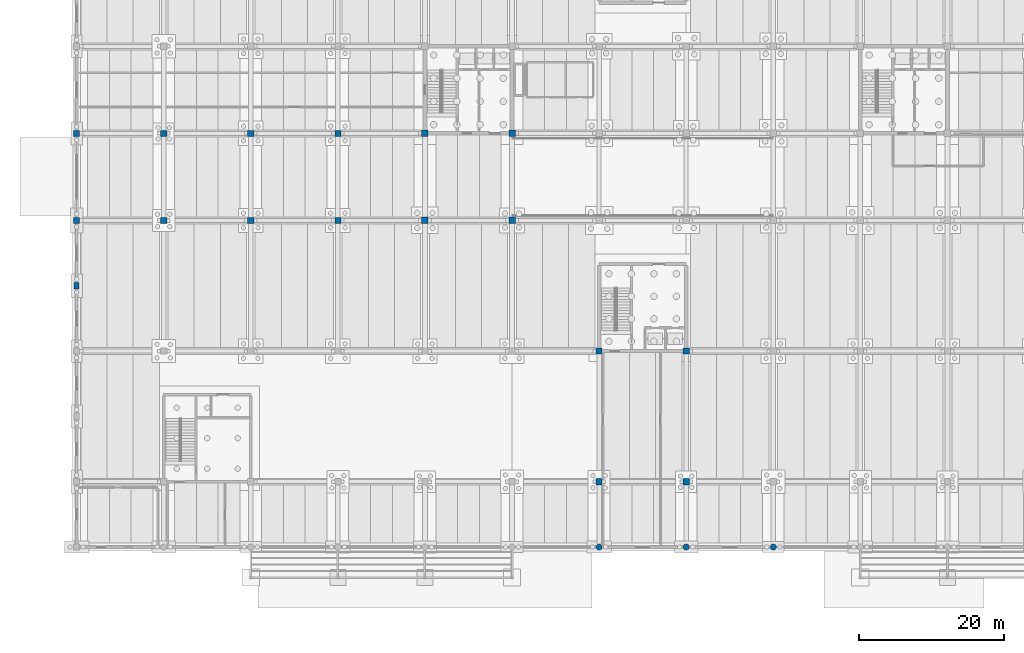
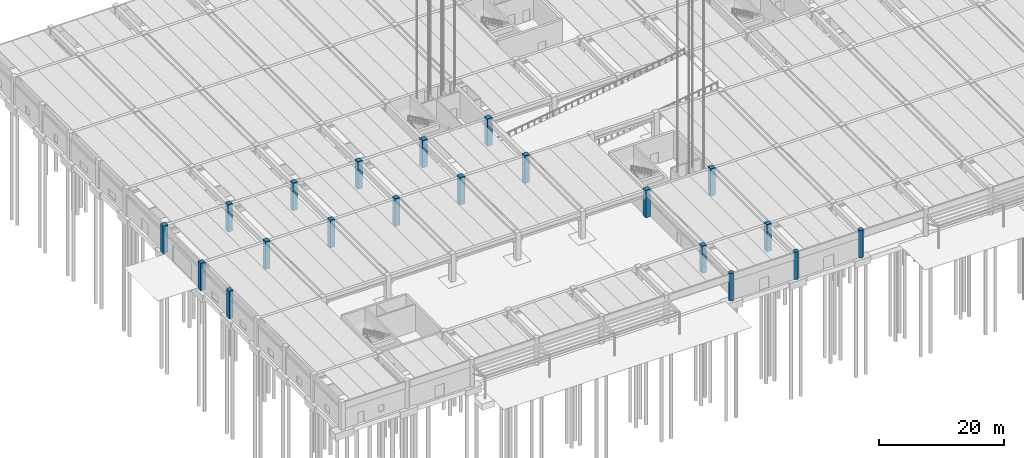
# One storey, part 8 of 59: 20 columns.
"""IFC4 building model written with IfcOpenShell, lengths in metres."""

from ifc_helpers import new_model, si_unit, direction, frame, origin, origin_2d, place, context, subcontext, project, spatial, rectangle, circle, extrude, material, material_profile, profile_set, type_object, element, save


model = new_model("IFC4")

# Units and contexts
model_context = context("Model", 3, precision=1e-05, world=origin(), true_north=direction((0.0, 1.0)))
body_context = subcontext(model_context, "Body", "Model", "MODEL_VIEW")
ifc_project = project(units=[si_unit("LENGTHUNIT", "METRE"), si_unit("AREAUNIT", "SQUARE_METRE"), si_unit("VOLUMEUNIT", "CUBIC_METRE"), si_unit("PLANEANGLEUNIT", "RADIAN"), si_unit("MASSUNIT", "GRAM", prefix="KILO")], contexts=[model_context])

# Site, building, storey
site_placement = place(None, origin())
site = spatial("IfcSite", under=ifc_project, at=site_placement, CompositionType="ELEMENT")
building_placement = place(site_placement, origin())
building = spatial("IfcBuilding", under=site, at=building_placement, Name="Girod Span Mobility Hub", CompositionType="ELEMENT")
storey_placement = place(building_placement, origin())
storey = spatial("IfcBuildingStorey", under=building, at=storey_placement, Name="L00", CompositionType="ELEMENT", Elevation=0.0)

# Columns
ifc_material_1 = material(Name="Concrete C40/50", Category="concrete")
ifc_material_profile_1 = material_profile(ifc_material_1, rectangle(XDim=0.85009765625, YDim=0.85009765625, at=origin_2d()), Name="PC-COL-850X850")
ifc_profile_set_1 = profile_set([ifc_material_profile_1], Name="Concrete C40/50")
column_type_1 = type_object("IfcColumnType", Name="COL-PC-850X850", PredefinedType="COLUMN", material=ifc_profile_set_1)
for number, where, z_axis, x_axis, name in (
    (1, (0.0, 45.0, 0.0), (0.0, 0.0, 1.0), (1.0, 0.0, 0.0), "Column 1D L00"),
    (2, (0.0, 57.0, 0.0), (0.0, 0.0, 1.0), (1.0, 0.0, 0.0), "Column 1E L00"),
    (3, (12.0, 45.0, 0.0), (0.0, 0.0, 1.0), (1.0, 0.0, 0.0), "Column 2D L00"),
    (4, (12.0, 57.0, 0.0), (0.0, 0.0, 1.0), (1.0, 0.0, 0.0), "Column 2E L00"),
    (5, (24.0, 45.0, 0.0), (0.0, 0.0, 1.0), (1.0, 0.0, 0.0), "Column 3D L00"),
    (6, (24.0, 57.0, 0.0), (0.0, 0.0, 1.0), (1.0, 0.0, 0.0), "Column 3E L00"),
    (7, (36.0, 45.0, 0.0), (0.0, 0.0, 1.0), (1.0, 0.0, 0.0), "Column 4D L00"),
    (8, (36.0, 57.0, 0.0), (0.0, 0.0, 1.0), (1.0, 0.0, 0.0), "Column 4E L00"),
    (9, (72.0, 9.0, 0.0), (0.0, 0.0, 1.0), (1.0, 0.0, 0.0), "Column 7B L00"),
    (10, (72.0, 27.0, 0.0), (0.0, 0.0, 1.0), (1.0, 0.0, 0.0), "Column 7C L00"),
    (11, (84.0, 9.0, 0.0), (0.0, 0.0, 1.0), (1.0, 0.0, 0.0), "Column 8B L00"),
    (12, (84.0, 27.0, 0.0), (0.0, 0.0, 1.0), (1.0, 0.0, 0.0), "Column 8C L00"),
):
    element("IfcColumn", number, at=place(storey_placement, frame(where, z_axis=z_axis, x_axis=x_axis)), inside=storey, type_object=column_type_1, Name=name, PredefinedType="COLUMN", context=body_context, shape_type="SweptSolid", body=[
        extrude(rectangle(XDim=0.85009765625, YDim=0.85009765625, at=origin_2d()), origin(), (0.0, 0.0, 1.0), 5.39990234375),
    ])
ifc_material_2 = material(Name="Concrete C40/50", Category="concrete")
ifc_material_profile_2 = material_profile(ifc_material_2, rectangle(XDim=0.89990234375, YDim=0.89990234375, at=origin_2d()), Name="PC-COL-900X900")
ifc_profile_set_2 = profile_set([ifc_material_profile_2], Name="Concrete C40/50")
column_type_2 = type_object("IfcColumnType", Name="COL-PC-900X900", PredefinedType="COLUMN", material=ifc_profile_set_2)
for number, where, z_axis, x_axis, name in (
    (13, (48.0, 45.0, 0.0), (0.0, 0.0, 1.0), (1.0, 0.0, 0.0), "Column 5D L00"),
    (14, (48.0, 57.0, 0.0), (0.0, 0.0, 1.0), (1.0, 0.0, 0.0), "Column 5E L00"),
    (15, (60.0, 45.0, 0.0), (0.0, 0.0, 1.0), (1.0, 0.0, 0.0), "Column 6D L00"),
    (16, (60.0, 57.0, 0.0), (0.0, 0.0, 1.0), (1.0, 0.0, 0.0), "Column 6E L00"),
):
    element("IfcColumn", number, at=place(storey_placement, frame(where, z_axis=z_axis, x_axis=x_axis)), inside=storey, type_object=column_type_2, Name=name, PredefinedType="COLUMN", context=body_context, shape_type="SweptSolid", body=[
        extrude(rectangle(XDim=0.89990234375, YDim=0.89990234375, at=origin_2d()), origin(), (0.0, 0.0, 1.0), 5.39990234375),
    ])
ifc_material_3 = material(Name="Concrete C40/50", Category="concrete")
ifc_material_profile_3 = material_profile(ifc_material_3, circle(Radius=0.425048828125, at=origin_2d()), Name="PC-CIR-D850")
ifc_profile_set_3 = profile_set([ifc_material_profile_3], Name="Concrete C40/50")
column_type_3 = type_object("IfcColumnType", Name="COL-PC-D850", PredefinedType="COLUMN", material=ifc_profile_set_3)
for number, where, z_axis, x_axis, name in (
    (17, (72.0, 0.0, 0.0), (0.0, 0.0, 1.0), (1.0, 0.0, 0.0), "Column 7A L00"),
    (18, (84.0, 0.0, 0.0), (0.0, 0.0, 1.0), (1.0, 0.0, 0.0), "Column 8A L00"),
    (19, (96.0, 0.0, 0.0), (0.0, 0.0, 1.0), (1.0, 0.0, 0.0), "Column 9A L00"),
):
    element("IfcColumn", number, at=place(storey_placement, frame(where, z_axis=z_axis, x_axis=x_axis)), inside=storey, type_object=column_type_3, Name=name, PredefinedType="COLUMN", context=body_context, shape_type="SweptSolid", body=[
        extrude(circle(Radius=0.425048828125, at=origin_2d()), origin(), (0.0, 0.0, 1.0), 5.39990234375),
    ])
ifc_material_4 = material(Name="Concrete C40/50", Category="concrete")
ifc_material_profile_4 = material_profile(ifc_material_4, rectangle(XDim=0.699951171875, YDim=0.949951171875, at=origin_2d()), Name="PC-PIL-700X950")
ifc_profile_set_4 = profile_set([ifc_material_profile_4], Name="Concrete C40/50")
column_type_4 = type_object("IfcColumnType", Name="PIL-PC-700X950", PredefinedType="PILASTER", material=ifc_profile_set_4)
column_placement = place(storey_placement, frame((0.0, 36.0, 0.0), z_axis=(0.0, 0.0, 1.0), x_axis=(1.0, 0.0, 0.0)))
element("IfcColumn", 20, at=column_placement, inside=storey, type_object=column_type_4, Name="Precast Pilaster PIL-W-36 L00", PredefinedType="PILASTER", context=body_context, shape_type="SweptSolid", body=[
    extrude(rectangle(XDim=0.699951171875, YDim=0.949951171875, at=origin_2d()), origin(), (0.0, 0.0, 1.0), 5.39990234375),
])

save(model, "model.ifc")
